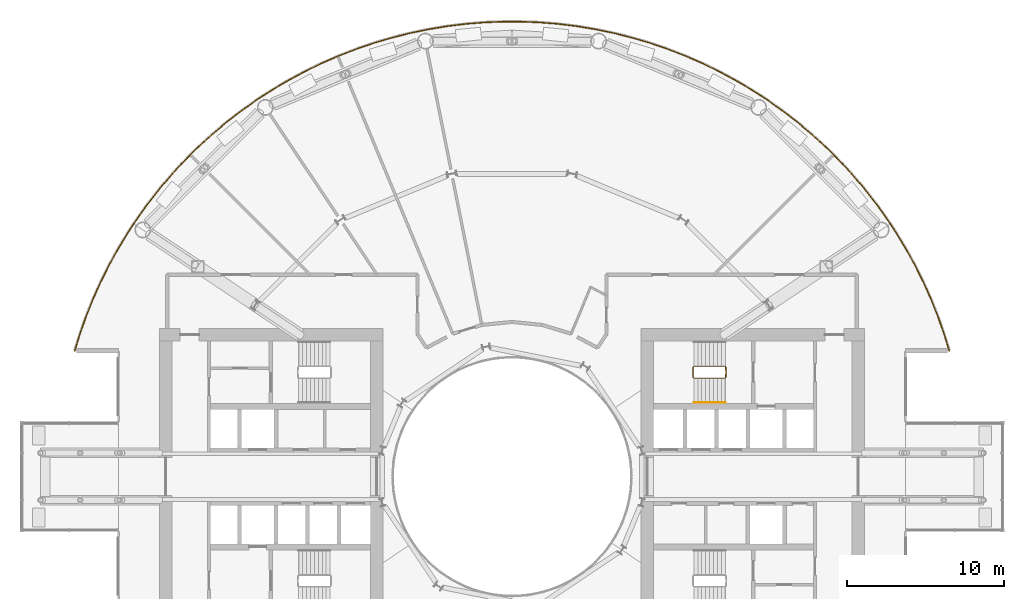
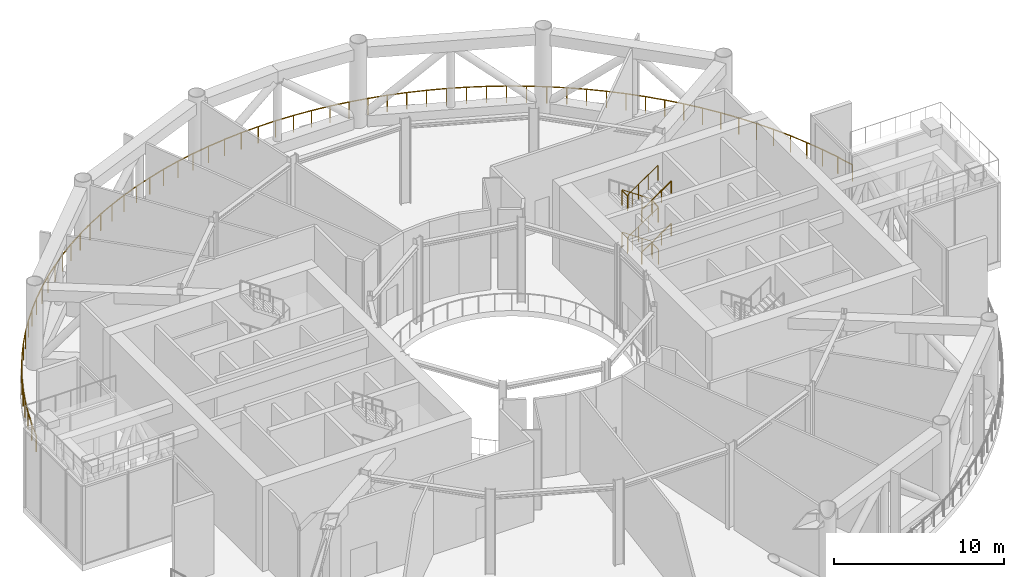
# One storey, part 21 of 22: 4 railings.
"""IFC4 building model written with IfcOpenShell, lengths in metres."""

from ifc_helpers import new_model, si_unit, direction, frame, origin, origin_2d, place, context, subcontext, project, spatial, circle, extrude, material, type_object, element, save


model = new_model("IFC4")

# Units and contexts
model_context = context("Model", 3, precision=1e-05, world=origin(), true_north=direction((0.0, 1.0)))
body_context = subcontext(model_context, "Body", "Model", "MODEL_VIEW")
ifc_project = project(units=[si_unit("LENGTHUNIT", "METRE"), si_unit("AREAUNIT", "SQUARE_METRE"), si_unit("VOLUMEUNIT", "CUBIC_METRE"), si_unit("PLANEANGLEUNIT", "RADIAN"), si_unit("MASSUNIT", "GRAM", prefix="KILO")], contexts=[model_context])

# Site, building, storey
site_placement = place(None, origin())
site = spatial("IfcSite", under=ifc_project, at=site_placement, CompositionType="ELEMENT")
building_placement = place(site_placement, origin())
building = spatial("IfcBuilding", under=site, at=building_placement, Name="Maasbend Ring Residences", CompositionType="ELEMENT")
storey_placement = place(building_placement, frame((0.0, 0.0, 57.5)))
storey = spatial("IfcBuildingStorey", under=building, at=storey_placement, Name="L16", CompositionType="ELEMENT", Elevation=57.5)

# Railings
ifc_material_1 = material(Name="Stainless steel 316 and glass", Category="steel")
railing_type_1 = type_object("IfcRailingType", Name="RL-GUARD", PredefinedType="GUARDRAIL", material=ifc_material_1)
railing_1_placement = place(storey_placement, frame((27.778564453125, 7.972412109375, 0.0)))
element("IfcRailing", 1, at=railing_1_placement, inside=storey, type_object=railing_type_1, Name="Garden guard outer 1", PredefinedType="GUARDRAIL", context=body_context, shape_type="SweptSolid", body=[
    extrude(circle(Radius=0.02490234375, at=origin_2d()), frame((0.0, 0.0, 1.1748046875), z_axis=(-0.295504624123, 0.95534130923, 0.0), x_axis=(-0.95534130923, -0.295504624123, 0.0)), (0.0, 0.0, 1.0), 1.184814453125),
    extrude(circle(Radius=0.02490234375, at=origin_2d()), frame((-0.35009765625, 1.1318359375, 1.1748046875), z_axis=(-0.334285842511, 0.94247173724, 0.0), x_axis=(-0.94247173724, -0.334285842511, 0.0)), (0.0, 0.0, 1.0), 1.1845703125),
    extrude(circle(Radius=0.02490234375, at=origin_2d()), frame((-0.74609375, 2.248291015625, 1.1748046875), z_axis=(-0.372847180885, 0.927892763042, 0.0), x_axis=(-0.927892763042, -0.372847180885, 0.0)), (0.0, 0.0, 1.0), 1.1845703125),
    extrude(circle(Radius=0.02490234375, at=origin_2d()), frame((-1.187744140625, 3.347412109375, 1.1748046875), z_axis=(-0.410493199792, 0.911863659175, 0.0), x_axis=(-0.911863659175, -0.410493199792, 0.0)), (0.0, 0.0, 1.0), 1.184814453125),
    extrude(circle(Radius=0.02490234375, at=origin_2d()), frame((-1.674072265625, 4.427734375, 1.1748046875), z_axis=(-0.447460908245, 0.894303491882, 0.0), x_axis=(-0.894303491882, -0.447460908245, 0.0)), (0.0, 0.0, 1.0), 1.1845703125),
    extrude(circle(Radius=0.02490234375, at=origin_2d()), frame((-2.2041015625, 5.487060546875, 1.1748046875), z_axis=(-0.483839805506, 0.875156581766, 0.0), x_axis=(-0.875156581766, -0.483839805506, 0.0)), (0.0, 0.0, 1.0), 1.184814453125),
    extrude(circle(Radius=0.02490234375, at=origin_2d()), frame((-2.77734375, 6.52392578125, 1.1748046875), z_axis=(-0.51915559987, 0.854679743017, 0.0), x_axis=(-0.854679743017, -0.51915559987, 0.0)), (0.0, 0.0, 1.0), 1.1845703125),
    extrude(circle(Radius=0.02490234375, at=origin_2d()), frame((-3.392333984375, 7.536376953125, 1.1748046875), z_axis=(-0.553796190877, 0.832652255729, 0.0), x_axis=(-0.832652255729, -0.553796190877, 0.0)), (0.0, 0.0, 1.0), 1.1845703125),
    extrude(circle(Radius=0.02490234375, at=origin_2d()), frame((-4.04833984375, 8.522705078125, 1.1748046875), z_axis=(-0.58749759803, 0.809225909317, 0.0), x_axis=(-0.809225909317, -0.58749759803, 0.0)), (0.0, 0.0, 1.0), 1.184814453125),
    extrude(circle(Radius=0.02490234375, at=origin_2d()), frame((-4.744384765625, 9.4814453125, 1.1748046875), z_axis=(-0.620185444157, 0.78445523445, 0.0), x_axis=(-0.78445523445, -0.620185444157, 0.0)), (0.0, 0.0, 1.0), 1.1845703125),
    extrude(circle(Radius=0.02490234375, at=origin_2d()), frame((-5.47900390625, 10.41064453125, 1.1748046875), z_axis=(-0.65182600946, 0.758368547206, 0.0), x_axis=(-0.758368547206, -0.65182600946, 0.0)), (0.0, 0.0, 1.0), 1.184814453125),
    extrude(circle(Radius=0.02490234375, at=origin_2d()), frame((-6.251220703125, 11.30908203125, 1.1748046875), z_axis=(-0.682156690758, 0.731206023809, 0.0), x_axis=(-0.731206023809, -0.682156690758, 0.0)), (0.0, 0.0, 1.0), 1.1845703125),
    extrude(circle(Radius=0.02490234375, at=origin_2d()), frame((-7.059326171875, 12.17529296875, 1.1748046875), z_axis=(-0.711830937603, 0.702350849841, 0.0), x_axis=(-0.702350849841, -0.711830937603, 0.0)), (0.0, 0.0, 1.0), 1.1845703125),
    extrude(circle(Radius=0.02490234375, at=origin_2d()), frame((-7.902587890625, 13.00732421875, 1.1748046875), z_axis=(-0.739800189204, 0.672826634471, 0.0), x_axis=(-0.672826634471, -0.739800189204, 0.0)), (0.0, 0.0, 1.0), 1.184814453125),
    extrude(circle(Radius=0.02490234375, at=origin_2d()), frame((-8.779052734375, 13.804443359375, 1.1748046875), z_axis=(-0.766885051085, 0.641784479731, 0.0), x_axis=(-0.641784479731, -0.766885051085, 0.0)), (0.0, 0.0, 1.0), 1.1845703125),
    extrude(circle(Radius=0.02490234375, at=origin_2d()), frame((-9.6875, 14.564697265625, 1.1748046875), z_axis=(-0.792493715501, 0.609880079107, 0.0), x_axis=(-0.609880079107, -0.792493715501, 0.0)), (0.0, 0.0, 1.0), 1.1845703125),
    extrude(circle(Radius=0.02490234375, at=origin_2d()), frame((-10.626220703125, 15.287109375, 1.1748046875), z_axis=(-0.816785089041, 0.576942040695, 0.0), x_axis=(-0.576942040695, -0.816785089041, 0.0)), (0.0, 0.0, 1.0), 1.184814453125),
    extrude(circle(Radius=0.02490234375, at=origin_2d()), frame((-11.593994140625, 15.970703125, 1.1748046875), z_axis=(-0.839829939632, 0.542849585519, 0.0), x_axis=(-0.542849585519, -0.839829939632, 0.0)), (0.0, 0.0, 1.0), 1.1845703125),
    extrude(circle(Radius=0.02490234375, at=origin_2d()), frame((-12.5888671875, 16.61376953125, 1.1748046875), z_axis=(-0.861324276781, 0.508055597575, 0.0), x_axis=(-0.508055597575, -0.861324276781, 0.0)), (0.0, 0.0, 1.0), 1.1845703125),
    extrude(circle(Radius=0.02490234375, at=origin_2d()), frame((-13.609130859375, 17.215576171875, 1.1748046875), z_axis=(-0.881415624836, 0.472341503887, 0.0), x_axis=(-0.472341503887, -0.881415624836, 0.0)), (0.0, 0.0, 1.0), 1.1845703125),
    extrude(circle(Radius=0.02490234375, at=origin_2d()), frame((-14.6533203125, 17.775146484375, 1.1748046875), z_axis=(-0.900002799964, 0.435884113104, 0.0), x_axis=(-0.435884113104, -0.900002799964, 0.0)), (0.0, 0.0, 1.0), 1.1845703125),
    extrude(circle(Radius=0.02490234375, at=origin_2d()), frame((-15.719482421875, 18.29150390625, 1.1748046875), z_axis=(-0.917129024526, 0.398590456951, 0.0), x_axis=(-0.398590456951, -0.917129024526, 0.0)), (0.0, 0.0, 1.0), 1.1845703125),
    extrude(circle(Radius=0.02490234375, at=origin_2d()), frame((-16.805908203125, 18.763671875, 1.1748046875), z_axis=(-0.932706782024, 0.360635631582, 0.0), x_axis=(-0.360635631582, -0.932706782024, 0.0)), (0.0, 0.0, 1.0), 1.184814453125),
    extrude(circle(Radius=0.02490234375, at=origin_2d()), frame((-17.910888671875, 19.19091796875, 1.1748046875), z_axis=(-0.946770232419, 0.321910122559, 0.0), x_axis=(-0.321910122559, -0.946770232419, 0.0)), (0.0, 0.0, 1.0), 1.1845703125),
    extrude(circle(Radius=0.02490234375, at=origin_2d()), frame((-19.032470703125, 19.572265625, 1.1748046875), z_axis=(-0.959076230705, 0.283147989039, 0.0), x_axis=(-0.283147989039, -0.959076230705, 0.0)), (0.0, 0.0, 1.0), 1.184814453125),
    extrude(circle(Radius=0.02490234375, at=origin_2d()), frame((-20.168701171875, 19.90771484375, 1.1748046875), z_axis=(-0.969923880017, 0.243408436528, 0.0), x_axis=(-0.243408436528, -0.969923880017, 0.0)), (0.0, 0.0, 1.0), 1.1845703125),
    extrude(circle(Radius=0.02490234375, at=origin_2d()), frame((-21.317626953125, 20.196044921875, 1.1748046875), z_axis=(-0.979054075839, 0.203600384536, 0.0), x_axis=(-0.203600384536, -0.979054075839, 0.0)), (0.0, 0.0, 1.0), 1.184814453125),
    extrude(circle(Radius=0.02490234375, at=origin_2d()), frame((-22.4775390625, 20.437255859375, 1.1748046875), z_axis=(-0.986588187234, 0.163229129787, 0.0), x_axis=(-0.163229129787, -0.986588187234, 0.0)), (0.0, 0.0, 1.0), 1.1845703125),
    extrude(circle(Radius=0.02490234375, at=origin_2d()), frame((-23.646240234375, 20.630615234375, 1.1748046875), z_axis=(-0.992454401235, 0.122614279222, 0.0), x_axis=(-0.122614279222, -0.992454401235, 0.0)), (0.0, 0.0, 1.0), 1.184814453125),
    extrude(circle(Radius=0.02490234375, at=origin_2d()), frame((-24.822021484375, 20.77587890625, 1.1748046875), z_axis=(-0.996630509683, 0.082022113907, 0.0), x_axis=(-0.082022113907, -0.996630509683, 0.0)), (0.0, 0.0, 1.0), 1.1845703125),
    extrude(circle(Radius=0.02490234375, at=origin_2d()), frame((-26.002685546875, 20.873046875, 1.1748046875), z_axis=(-0.999158599932, 0.041013317118, 0.0), x_axis=(-0.041013317118, -0.999158599932, 0.0)), (0.0, 0.0, 1.0), 1.1845703125),
    extrude(circle(Radius=0.02490234375, at=origin_2d()), frame((-27.186279296875, 20.921630859375, 1.1748046875), z_axis=(-1.0, 0.0, 0.0), x_axis=(0.0, -1.0, 0.0)), (0.0, 0.0, 1.0), 1.1845703125),
    extrude(circle(Radius=0.02490234375, at=origin_2d()), frame((-28.370849609375, 20.921630859375, 1.1748046875), z_axis=(-0.999158599932, -0.041013317118, 0.0), x_axis=(0.041013317118, -0.999158599932, 0.0)), (0.0, 0.0, 1.0), 1.1845703125),
    extrude(circle(Radius=0.02490234375, at=origin_2d()), frame((-29.554443359375, 20.873046875, 1.1748046875), z_axis=(-0.996630509683, -0.082022113907, 0.0), x_axis=(0.082022113907, -0.996630509683, 0.0)), (0.0, 0.0, 1.0), 1.1845703125),
    extrude(circle(Radius=0.02490234375, at=origin_2d()), frame((-30.735107421875, 20.77587890625, 1.1748046875), z_axis=(-0.992454401235, -0.122614279222, 0.0), x_axis=(0.122614279222, -0.992454401235, 0.0)), (0.0, 0.0, 1.0), 1.184814453125),
    extrude(circle(Radius=0.02490234375, at=origin_2d()), frame((-31.910888671875, 20.630615234375, 1.1748046875), z_axis=(-0.986588187234, -0.163229129787, 0.0), x_axis=(0.163229129787, -0.986588187234, 0.0)), (0.0, 0.0, 1.0), 1.1845703125),
    extrude(circle(Radius=0.02490234375, at=origin_2d()), frame((-33.07958984375, 20.437255859375, 1.1748046875), z_axis=(-0.979054075839, -0.203600384536, 0.0), x_axis=(0.203600384536, -0.979054075839, 0.0)), (0.0, 0.0, 1.0), 1.184814453125),
    extrude(circle(Radius=0.02490234375, at=origin_2d()), frame((-34.239501953125, 20.196044921875, 1.1748046875), z_axis=(-0.969923880017, -0.243408436528, 0.0), x_axis=(0.243408436528, -0.969923880017, 0.0)), (0.0, 0.0, 1.0), 1.1845703125),
    extrude(circle(Radius=0.02490234375, at=origin_2d()), frame((-35.388427734375, 19.90771484375, 1.1748046875), z_axis=(-0.959076230705, -0.283147989039, 0.0), x_axis=(0.283147989039, -0.959076230705, 0.0)), (0.0, 0.0, 1.0), 1.184814453125),
    extrude(circle(Radius=0.02490234375, at=origin_2d()), frame((-36.524658203125, 19.572265625, 1.1748046875), z_axis=(-0.946770232419, -0.321910122559, 0.0), x_axis=(0.321910122559, -0.946770232419, 0.0)), (0.0, 0.0, 1.0), 1.1845703125),
    extrude(circle(Radius=0.02490234375, at=origin_2d()), frame((-37.646240234375, 19.19091796875, 1.1748046875), z_axis=(-0.932706782024, -0.360635631582, 0.0), x_axis=(0.360635631582, -0.932706782024, 0.0)), (0.0, 0.0, 1.0), 1.184814453125),
    extrude(circle(Radius=0.02490234375, at=origin_2d()), frame((-38.751220703125, 18.763671875, 1.1748046875), z_axis=(-0.917129024526, -0.398590456951, 0.0), x_axis=(0.398590456951, -0.917129024526, 0.0)), (0.0, 0.0, 1.0), 1.1845703125),
    extrude(circle(Radius=0.02490234375, at=origin_2d()), frame((-39.837646484375, 18.29150390625, 1.1748046875), z_axis=(-0.900002799964, -0.435884113104, 0.0), x_axis=(0.435884113104, -0.900002799964, 0.0)), (0.0, 0.0, 1.0), 1.1845703125),
    extrude(circle(Radius=0.02490234375, at=origin_2d()), frame((-40.90380859375, 17.775146484375, 1.1748046875), z_axis=(-0.881415624836, -0.472341503887, 0.0), x_axis=(0.472341503887, -0.881415624836, 0.0)), (0.0, 0.0, 1.0), 1.1845703125),
    extrude(circle(Radius=0.02490234375, at=origin_2d()), frame((-41.947998046875, 17.215576171875, 1.1748046875), z_axis=(-0.861324276781, -0.508055597575, 0.0), x_axis=(0.508055597575, -0.861324276781, 0.0)), (0.0, 0.0, 1.0), 1.1845703125),
    extrude(circle(Radius=0.02490234375, at=origin_2d()), frame((-42.96826171875, 16.61376953125, 1.1748046875), z_axis=(-0.839829939632, -0.542849585519, 0.0), x_axis=(0.542849585519, -0.839829939632, 0.0)), (0.0, 0.0, 1.0), 1.1845703125),
    extrude(circle(Radius=0.02490234375, at=origin_2d()), frame((-43.963134765625, 15.970703125, 1.1748046875), z_axis=(-0.816785089041, -0.576942040695, 0.0), x_axis=(0.576942040695, -0.816785089041, 0.0)), (0.0, 0.0, 1.0), 1.184814453125),
    extrude(circle(Radius=0.02490234375, at=origin_2d()), frame((-44.930908203125, 15.287109375, 1.1748046875), z_axis=(-0.792493715501, -0.609880079107, 0.0), x_axis=(0.609880079107, -0.792493715501, 0.0)), (0.0, 0.0, 1.0), 1.1845703125),
    extrude(circle(Radius=0.02490234375, at=origin_2d()), frame((-45.86962890625, 14.564697265625, 1.1748046875), z_axis=(-0.766885051085, -0.641784479731, 0.0), x_axis=(0.641784479731, -0.766885051085, 0.0)), (0.0, 0.0, 1.0), 1.1845703125),
    extrude(circle(Radius=0.02490234375, at=origin_2d()), frame((-46.778076171875, 13.804443359375, 1.1748046875), z_axis=(-0.739800189204, -0.672826634471, 0.0), x_axis=(0.672826634471, -0.739800189204, 0.0)), (0.0, 0.0, 1.0), 1.184814453125),
    extrude(circle(Radius=0.02490234375, at=origin_2d()), frame((-47.654541015625, 13.00732421875, 1.1748046875), z_axis=(-0.711830937603, -0.702350849841, 0.0), x_axis=(0.702350849841, -0.711830937603, 0.0)), (0.0, 0.0, 1.0), 1.1845703125),
    extrude(circle(Radius=0.02490234375, at=origin_2d()), frame((-48.497802734375, 12.17529296875, 1.1748046875), z_axis=(-0.682156690758, -0.731206023809, 0.0), x_axis=(0.731206023809, -0.682156690758, 0.0)), (0.0, 0.0, 1.0), 1.1845703125),
    extrude(circle(Radius=0.02490234375, at=origin_2d()), frame((-49.305908203125, 11.30908203125, 1.1748046875), z_axis=(-0.65182600946, -0.758368547206, 0.0), x_axis=(0.758368547206, -0.65182600946, 0.0)), (0.0, 0.0, 1.0), 1.184814453125),
    extrude(circle(Radius=0.02490234375, at=origin_2d()), frame((-50.078125, 10.41064453125, 1.1748046875), z_axis=(-0.620185444157, -0.78445523445, 0.0), x_axis=(0.78445523445, -0.620185444157, 0.0)), (0.0, 0.0, 1.0), 1.1845703125),
    extrude(circle(Radius=0.02490234375, at=origin_2d()), frame((-50.812744140625, 9.4814453125, 1.1748046875), z_axis=(-0.58749759803, -0.809225909317, 0.0), x_axis=(0.809225909317, -0.58749759803, 0.0)), (0.0, 0.0, 1.0), 1.184814453125),
    extrude(circle(Radius=0.02490234375, at=origin_2d()), frame((-51.5087890625, 8.522705078125, 1.1748046875), z_axis=(-0.553796190877, -0.832652255729, 0.0), x_axis=(0.832652255729, -0.553796190877, 0.0)), (0.0, 0.0, 1.0), 1.1845703125),
    extrude(circle(Radius=0.02490234375, at=origin_2d()), frame((-52.164794921875, 7.536376953125, 1.1748046875), z_axis=(-0.51915559987, -0.854679743017, 0.0), x_axis=(0.854679743017, -0.51915559987, 0.0)), (0.0, 0.0, 1.0), 1.1845703125),
    extrude(circle(Radius=0.02490234375, at=origin_2d()), frame((-52.77978515625, 6.52392578125, 1.1748046875), z_axis=(-0.483839805506, -0.875156581766, 0.0), x_axis=(0.875156581766, -0.483839805506, 0.0)), (0.0, 0.0, 1.0), 1.184814453125),
    extrude(circle(Radius=0.02490234375, at=origin_2d()), frame((-53.35302734375, 5.487060546875, 1.1748046875), z_axis=(-0.447460908245, -0.894303491882, 0.0), x_axis=(0.894303491882, -0.447460908245, 0.0)), (0.0, 0.0, 1.0), 1.1845703125),
    extrude(circle(Radius=0.02490234375, at=origin_2d()), frame((-53.883056640625, 4.427734375, 1.1748046875), z_axis=(-0.410493199792, -0.911863659175, 0.0), x_axis=(0.911863659175, -0.410493199792, 0.0)), (0.0, 0.0, 1.0), 1.184814453125),
    extrude(circle(Radius=0.02490234375, at=origin_2d()), frame((-54.369384765625, 3.347412109375, 1.1748046875), z_axis=(-0.372847180885, -0.927892763042, 0.0), x_axis=(0.927892763042, -0.372847180885, 0.0)), (0.0, 0.0, 1.0), 1.1845703125),
    extrude(circle(Radius=0.02490234375, at=origin_2d()), frame((-54.81103515625, 2.248291015625, 1.1748046875), z_axis=(-0.334285842511, -0.94247173724, 0.0), x_axis=(0.94247173724, -0.334285842511, 0.0)), (0.0, 0.0, 1.0), 1.1845703125),
    extrude(circle(Radius=0.02490234375, at=origin_2d()), frame((-55.20703125, 1.1318359375, 1.1748046875), z_axis=(-0.295504624123, -0.95534130923, 0.0), x_axis=(0.95534130923, -0.295504624123, 0.0)), (0.0, 0.0, 1.0), 1.184814453125),
    extrude(circle(Radius=0.02001953125, at=origin_2d()), origin(), (0.0, 0.0, 1.0), 1.14990234375),
    extrude(circle(Radius=0.02001953125, at=origin_2d()), frame((-0.35009765625, 1.1318359375, 0.0)), (0.0, 0.0, 1.0), 1.14990234375),
    extrude(circle(Radius=0.02001953125, at=origin_2d()), frame((-0.74609375, 2.248291015625, 0.0)), (0.0, 0.0, 1.0), 1.14990234375),
    extrude(circle(Radius=0.02001953125, at=origin_2d()), frame((-1.187744140625, 3.347412109375, 0.0)), (0.0, 0.0, 1.0), 1.14990234375),
    extrude(circle(Radius=0.02001953125, at=origin_2d()), frame((-1.674072265625, 4.427734375, 0.0)), (0.0, 0.0, 1.0), 1.14990234375),
    extrude(circle(Radius=0.02001953125, at=origin_2d()), frame((-2.2041015625, 5.487060546875, 0.0)), (0.0, 0.0, 1.0), 1.14990234375),
    extrude(circle(Radius=0.02001953125, at=origin_2d()), frame((-2.77734375, 6.52392578125, 0.0)), (0.0, 0.0, 1.0), 1.14990234375),
    extrude(circle(Radius=0.02001953125, at=origin_2d()), frame((-3.392333984375, 7.536376953125, 0.0)), (0.0, 0.0, 1.0), 1.14990234375),
    extrude(circle(Radius=0.02001953125, at=origin_2d()), frame((-4.04833984375, 8.522705078125, 0.0)), (0.0, 0.0, 1.0), 1.14990234375),
    extrude(circle(Radius=0.02001953125, at=origin_2d()), frame((-4.744384765625, 9.4814453125, 0.0)), (0.0, 0.0, 1.0), 1.14990234375),
    extrude(circle(Radius=0.02001953125, at=origin_2d()), frame((-5.47900390625, 10.41064453125, 0.0)), (0.0, 0.0, 1.0), 1.14990234375),
    extrude(circle(Radius=0.02001953125, at=origin_2d()), frame((-6.251220703125, 11.30908203125, 0.0)), (0.0, 0.0, 1.0), 1.14990234375),
    extrude(circle(Radius=0.02001953125, at=origin_2d()), frame((-7.059326171875, 12.17529296875, 0.0)), (0.0, 0.0, 1.0), 1.14990234375),
    extrude(circle(Radius=0.02001953125, at=origin_2d()), frame((-7.902587890625, 13.00732421875, 0.0)), (0.0, 0.0, 1.0), 1.14990234375),
    extrude(circle(Radius=0.02001953125, at=origin_2d()), frame((-8.779052734375, 13.804443359375, 0.0)), (0.0, 0.0, 1.0), 1.14990234375),
    extrude(circle(Radius=0.02001953125, at=origin_2d()), frame((-9.6875, 14.564697265625, 0.0)), (0.0, 0.0, 1.0), 1.14990234375),
    extrude(circle(Radius=0.02001953125, at=origin_2d()), frame((-10.626220703125, 15.287109375, 0.0)), (0.0, 0.0, 1.0), 1.14990234375),
    extrude(circle(Radius=0.02001953125, at=origin_2d()), frame((-11.593994140625, 15.970703125, 0.0)), (0.0, 0.0, 1.0), 1.14990234375),
    extrude(circle(Radius=0.02001953125, at=origin_2d()), frame((-12.5888671875, 16.61376953125, 0.0)), (0.0, 0.0, 1.0), 1.14990234375),
    extrude(circle(Radius=0.02001953125, at=origin_2d()), frame((-13.609130859375, 17.215576171875, 0.0)), (0.0, 0.0, 1.0), 1.14990234375),
    extrude(circle(Radius=0.02001953125, at=origin_2d()), frame((-14.6533203125, 17.775146484375, 0.0)), (0.0, 0.0, 1.0), 1.14990234375),
    extrude(circle(Radius=0.02001953125, at=origin_2d()), frame((-15.719482421875, 18.29150390625, 0.0)), (0.0, 0.0, 1.0), 1.14990234375),
    extrude(circle(Radius=0.02001953125, at=origin_2d()), frame((-16.805908203125, 18.763671875, 0.0)), (0.0, 0.0, 1.0), 1.14990234375),
    extrude(circle(Radius=0.02001953125, at=origin_2d()), frame((-17.910888671875, 19.19091796875, 0.0)), (0.0, 0.0, 1.0), 1.14990234375),
    extrude(circle(Radius=0.02001953125, at=origin_2d()), frame((-19.032470703125, 19.572265625, 0.0)), (0.0, 0.0, 1.0), 1.14990234375),
    extrude(circle(Radius=0.02001953125, at=origin_2d()), frame((-20.168701171875, 19.90771484375, 0.0)), (0.0, 0.0, 1.0), 1.14990234375),
    extrude(circle(Radius=0.02001953125, at=origin_2d()), frame((-21.317626953125, 20.196044921875, 0.0)), (0.0, 0.0, 1.0), 1.14990234375),
    extrude(circle(Radius=0.02001953125, at=origin_2d()), frame((-22.4775390625, 20.437255859375, 0.0)), (0.0, 0.0, 1.0), 1.14990234375),
    extrude(circle(Radius=0.02001953125, at=origin_2d()), frame((-23.646240234375, 20.630615234375, 0.0)), (0.0, 0.0, 1.0), 1.14990234375),
    extrude(circle(Radius=0.02001953125, at=origin_2d()), frame((-24.822021484375, 20.77587890625, 0.0)), (0.0, 0.0, 1.0), 1.14990234375),
    extrude(circle(Radius=0.02001953125, at=origin_2d()), frame((-26.002685546875, 20.873046875, 0.0)), (0.0, 0.0, 1.0), 1.14990234375),
    extrude(circle(Radius=0.02001953125, at=origin_2d()), frame((-27.186279296875, 20.921630859375, 0.0)), (0.0, 0.0, 1.0), 1.14990234375),
    extrude(circle(Radius=0.02001953125, at=origin_2d()), frame((-28.370849609375, 20.921630859375, 0.0)), (0.0, 0.0, 1.0), 1.14990234375),
    extrude(circle(Radius=0.02001953125, at=origin_2d()), frame((-29.554443359375, 20.873046875, 0.0)), (0.0, 0.0, 1.0), 1.14990234375),
    extrude(circle(Radius=0.02001953125, at=origin_2d()), frame((-30.735107421875, 20.77587890625, 0.0)), (0.0, 0.0, 1.0), 1.14990234375),
    extrude(circle(Radius=0.02001953125, at=origin_2d()), frame((-31.910888671875, 20.630615234375, 0.0)), (0.0, 0.0, 1.0), 1.14990234375),
    extrude(circle(Radius=0.02001953125, at=origin_2d()), frame((-33.07958984375, 20.437255859375, 0.0)), (0.0, 0.0, 1.0), 1.14990234375),
    extrude(circle(Radius=0.02001953125, at=origin_2d()), frame((-34.239501953125, 20.196044921875, 0.0)), (0.0, 0.0, 1.0), 1.14990234375),
    extrude(circle(Radius=0.02001953125, at=origin_2d()), frame((-35.388427734375, 19.90771484375, 0.0)), (0.0, 0.0, 1.0), 1.14990234375),
    extrude(circle(Radius=0.02001953125, at=origin_2d()), frame((-36.524658203125, 19.572265625, 0.0)), (0.0, 0.0, 1.0), 1.14990234375),
    extrude(circle(Radius=0.02001953125, at=origin_2d()), frame((-37.646240234375, 19.19091796875, 0.0)), (0.0, 0.0, 1.0), 1.14990234375),
    extrude(circle(Radius=0.02001953125, at=origin_2d()), frame((-38.751220703125, 18.763671875, 0.0)), (0.0, 0.0, 1.0), 1.14990234375),
    extrude(circle(Radius=0.02001953125, at=origin_2d()), frame((-39.837646484375, 18.29150390625, 0.0)), (0.0, 0.0, 1.0), 1.14990234375),
    extrude(circle(Radius=0.02001953125, at=origin_2d()), frame((-40.90380859375, 17.775146484375, 0.0)), (0.0, 0.0, 1.0), 1.14990234375),
    extrude(circle(Radius=0.02001953125, at=origin_2d()), frame((-41.947998046875, 17.215576171875, 0.0)), (0.0, 0.0, 1.0), 1.14990234375),
    extrude(circle(Radius=0.02001953125, at=origin_2d()), frame((-42.96826171875, 16.61376953125, 0.0)), (0.0, 0.0, 1.0), 1.14990234375),
    extrude(circle(Radius=0.02001953125, at=origin_2d()), frame((-43.963134765625, 15.970703125, 0.0)), (0.0, 0.0, 1.0), 1.14990234375),
    extrude(circle(Radius=0.02001953125, at=origin_2d()), frame((-44.930908203125, 15.287109375, 0.0)), (0.0, 0.0, 1.0), 1.14990234375),
    extrude(circle(Radius=0.02001953125, at=origin_2d()), frame((-45.86962890625, 14.564697265625, 0.0)), (0.0, 0.0, 1.0), 1.14990234375),
    extrude(circle(Radius=0.02001953125, at=origin_2d()), frame((-46.778076171875, 13.804443359375, 0.0)), (0.0, 0.0, 1.0), 1.14990234375),
    extrude(circle(Radius=0.02001953125, at=origin_2d()), frame((-47.654541015625, 13.00732421875, 0.0)), (0.0, 0.0, 1.0), 1.14990234375),
    extrude(circle(Radius=0.02001953125, at=origin_2d()), frame((-48.497802734375, 12.17529296875, 0.0)), (0.0, 0.0, 1.0), 1.14990234375),
    extrude(circle(Radius=0.02001953125, at=origin_2d()), frame((-49.305908203125, 11.30908203125, 0.0)), (0.0, 0.0, 1.0), 1.14990234375),
    extrude(circle(Radius=0.02001953125, at=origin_2d()), frame((-50.078125, 10.41064453125, 0.0)), (0.0, 0.0, 1.0), 1.14990234375),
    extrude(circle(Radius=0.02001953125, at=origin_2d()), frame((-50.812744140625, 9.4814453125, 0.0)), (0.0, 0.0, 1.0), 1.14990234375),
    extrude(circle(Radius=0.02001953125, at=origin_2d()), frame((-51.5087890625, 8.522705078125, 0.0)), (0.0, 0.0, 1.0), 1.14990234375),
    extrude(circle(Radius=0.02001953125, at=origin_2d()), frame((-52.164794921875, 7.536376953125, 0.0)), (0.0, 0.0, 1.0), 1.14990234375),
    extrude(circle(Radius=0.02001953125, at=origin_2d()), frame((-52.77978515625, 6.52392578125, 0.0)), (0.0, 0.0, 1.0), 1.14990234375),
    extrude(circle(Radius=0.02001953125, at=origin_2d()), frame((-53.35302734375, 5.487060546875, 0.0)), (0.0, 0.0, 1.0), 1.14990234375),
    extrude(circle(Radius=0.02001953125, at=origin_2d()), frame((-53.883056640625, 4.427734375, 0.0)), (0.0, 0.0, 1.0), 1.14990234375),
    extrude(circle(Radius=0.02001953125, at=origin_2d()), frame((-54.369384765625, 3.347412109375, 0.0)), (0.0, 0.0, 1.0), 1.14990234375),
    extrude(circle(Radius=0.02001953125, at=origin_2d()), frame((-54.81103515625, 2.248291015625, 0.0)), (0.0, 0.0, 1.0), 1.14990234375),
    extrude(circle(Radius=0.02001953125, at=origin_2d()), frame((-55.20703125, 1.1318359375, 0.0)), (0.0, 0.0, 1.0), 1.14990234375),
    extrude(circle(Radius=0.02001953125, at=origin_2d()), frame((-55.55712890625, 0.0, 0.0)), (0.0, 0.0, 1.0), 1.14990234375),
])
ifc_material_2 = material(Name="Stainless steel 316", Category="steel")
railing_type_2 = type_object("IfcRailingType", Name="STAIR GUARD 1100", PredefinedType="GUARDRAIL", material=ifc_material_2)
railing_2_placement = place(storey_placement, frame((13.60009765625, 6.300048828125, 0.0)))
element("IfcRailing", 2, at=railing_2_placement, inside=storey, type_object=railing_type_2, Name="L16 ST-E1 stair guard 1", PredefinedType="GUARDRAIL", context=body_context, shape_type="SweptSolid", body=[
    extrude(circle(Radius=0.02392578125, at=origin_2d()), frame((0.0, 0.0, 1.076171875), z_axis=(0.0, 1.0, 0.0), x_axis=(-1.0, 0.0, 0.0)), (0.0, 0.0, 1.0), 0.64990234375),
    extrude(circle(Radius=0.02392578125, at=origin_2d()), frame((0.0, 0.64990234375, 1.076171875), z_axis=(-0.272562526181, 0.272562526181, 0.92272386912), x_axis=(-0.707106781187, -0.707106781187, 0.0)), (0.0, 0.0, 1.0), 0.18359375),
    extrude(circle(Radius=0.02392578125, at=origin_2d()), frame((-0.050048828125, 0.699951171875, 1.24560546875), z_axis=(-0.827797584762, 0.0, 0.561026878735), x_axis=(0.0, -1.0, 0.0)), (0.0, 0.0, 1.0), 2.416015625),
    extrude(circle(Radius=0.02392578125, at=origin_2d()), frame((-2.050048828125, 0.699951171875, 2.60107421875), z_axis=(-0.707106781187, -0.707106781187, 0.0), x_axis=(0.707106781187, -0.707106781187, 0.0)), (0.0, 0.0, 1.0), 0.07080078125),
    extrude(circle(Radius=0.02392578125, at=origin_2d()), frame((-2.10009765625, 0.64990234375, 2.60107421875), z_axis=(0.0, -1.0, 0.0), x_axis=(1.0, 0.0, 0.0)), (0.0, 0.0, 1.0), 0.64990234375),
    extrude(circle(Radius=0.02392578125, at=origin_2d()), frame((-2.10009765625, 0.0, 2.60107421875), z_axis=(0.272562526181, -0.272562526181, 0.92272386912), x_axis=(0.707106781187, 0.707106781187, 0.0)), (0.0, 0.0, 1.0), 0.18359375),
    extrude(circle(Radius=0.02392578125, at=origin_2d()), frame((-2.050048828125, -0.050048828125, 2.7705078125), z_axis=(0.827750655447, 0.0, 0.561096116906), x_axis=(0.0, 1.0, 0.0)), (0.0, 0.0, 1.0), 2.416259765625),
    extrude(circle(Radius=0.02392578125, at=origin_2d()), frame((-0.050048828125, -0.050048828125, 4.1259765625), z_axis=(0.071321223157, 0.997453398975, 0.0), x_axis=(-0.997453398975, 0.071321223157, 0.0)), (0.0, 0.0, 1.0), 0.70166015625),
    extrude(circle(Radius=0.02392578125, at=origin_2d()), frame((0.0, 0.64990234375, 4.1259765625), z_axis=(0.0, -1.0, 0.0), x_axis=(1.0, 0.0, 0.0)), (0.0, 0.0, 1.0), 0.64990234375),
    extrude(circle(Radius=0.02392578125, at=origin_2d()), frame((0.0, 0.0, 4.1259765625), z_axis=(-0.069328998915, 0.969591414091, 0.234704025594), x_axis=(-0.997453398975, -0.071321223157, 0.0)), (0.0, 0.0, 1.0), 0.721923828125),
    extrude(circle(Radius=0.02392578125, at=origin_2d()), frame((-0.050048828125, 0.699951171875, 4.29541015625), z_axis=(-0.827797584762, 0.0, 0.561026878735), x_axis=(0.0, -1.0, 0.0)), (0.0, 0.0, 1.0), 2.416015625),
    extrude(circle(Radius=0.02392578125, at=origin_2d()), frame((-2.050048828125, 0.699951171875, 5.65087890625), z_axis=(-0.707106781187, -0.707106781187, 0.0), x_axis=(0.707106781187, -0.707106781187, 0.0)), (0.0, 0.0, 1.0), 0.07080078125),
    extrude(circle(Radius=0.02392578125, at=origin_2d()), frame((-2.10009765625, 0.64990234375, 5.65087890625), z_axis=(0.0, -1.0, 0.0), x_axis=(1.0, 0.0, 0.0)), (0.0, 0.0, 1.0), 0.64990234375),
    extrude(circle(Radius=0.02392578125, at=origin_2d()), frame((-2.10009765625, 0.0, 5.65087890625), z_axis=(0.272562526181, -0.272562526181, 0.92272386912), x_axis=(0.707106781187, 0.707106781187, 0.0)), (0.0, 0.0, 1.0), 0.18359375),
    extrude(circle(Radius=0.02392578125, at=origin_2d()), frame((-2.050048828125, -0.050048828125, 5.8203125), z_axis=(0.827750655447, 0.0, 0.561096116906), x_axis=(0.0, 1.0, 0.0)), (0.0, 0.0, 1.0), 2.416259765625),
    extrude(circle(Radius=0.02099609375, at=origin_2d()), origin(), (0.0, 0.0, 1.0), 1.052001953125),
    extrude(circle(Radius=0.02099609375, at=origin_2d()), frame((0.0, 0.64990234375, 0.0)), (0.0, 0.0, 1.0), 1.052001953125),
    extrude(circle(Radius=0.02099609375, at=origin_2d()), frame((-0.050048828125, 0.699951171875, 0.16943359375)), (0.0, 0.0, 1.0), 1.052001953125),
    extrude(circle(Radius=0.02099609375, at=origin_2d()), frame((-0.716796875, 0.699951171875, 0.621337890625)), (0.0, 0.0, 1.0), 1.052001953125),
    extrude(circle(Radius=0.02099609375, at=origin_2d()), frame((-1.38330078125, 0.699951171875, 1.072998046875)), (0.0, 0.0, 1.0), 1.052001953125),
    extrude(circle(Radius=0.02099609375, at=origin_2d()), frame((-2.050048828125, 0.699951171875, 1.52490234375)), (0.0, 0.0, 1.0), 1.052001953125),
    extrude(circle(Radius=0.02099609375, at=origin_2d()), frame((-2.10009765625, 0.64990234375, 1.52490234375)), (0.0, 0.0, 1.0), 1.052001953125),
    extrude(circle(Radius=0.02099609375, at=origin_2d()), frame((-2.10009765625, 0.0, 1.52490234375)), (0.0, 0.0, 1.0), 1.052001953125),
    extrude(circle(Radius=0.02099609375, at=origin_2d()), frame((-2.050048828125, -0.050048828125, 1.6943359375)), (0.0, 0.0, 1.0), 1.052001953125),
    extrude(circle(Radius=0.02099609375, at=origin_2d()), frame((-1.38330078125, -0.050048828125, 2.146240234375)), (0.0, 0.0, 1.0), 1.052001953125),
    extrude(circle(Radius=0.02099609375, at=origin_2d()), frame((-0.716796875, -0.050048828125, 2.59814453125)), (0.0, 0.0, 1.0), 1.052001953125),
    extrude(circle(Radius=0.02099609375, at=origin_2d()), frame((-0.050048828125, -0.050048828125, 3.050048828125)), (0.0, 0.0, 1.0), 1.052001953125),
    extrude(circle(Radius=0.02099609375, at=origin_2d()), frame((0.0, 0.64990234375, 3.050048828125)), (0.0, 0.0, 1.0), 1.052001953125),
    extrude(circle(Radius=0.02099609375, at=origin_2d()), frame((0.0, 0.0, 3.050048828125)), (0.0, 0.0, 1.0), 1.052001953125),
    extrude(circle(Radius=0.02099609375, at=origin_2d()), frame((-0.050048828125, 0.699951171875, 3.219482421875)), (0.0, 0.0, 1.0), 1.052001953125),
    extrude(circle(Radius=0.02099609375, at=origin_2d()), frame((-0.716796875, 0.699951171875, 3.67138671875)), (0.0, 0.0, 1.0), 1.052001953125),
    extrude(circle(Radius=0.02099609375, at=origin_2d()), frame((-1.38330078125, 0.699951171875, 4.123046875)), (0.0, 0.0, 1.0), 1.052001953125),
    extrude(circle(Radius=0.02099609375, at=origin_2d()), frame((-2.050048828125, 0.699951171875, 4.574951171875)), (0.0, 0.0, 1.0), 1.052001953125),
    extrude(circle(Radius=0.02099609375, at=origin_2d()), frame((-2.10009765625, 0.64990234375, 4.574951171875)), (0.0, 0.0, 1.0), 1.052001953125),
    extrude(circle(Radius=0.02099609375, at=origin_2d()), frame((-2.10009765625, 0.0, 4.574951171875)), (0.0, 0.0, 1.0), 1.052001953125),
    extrude(circle(Radius=0.02099609375, at=origin_2d()), frame((-2.050048828125, -0.050048828125, 4.744384765625)), (0.0, 0.0, 1.0), 1.052001953125),
    extrude(circle(Radius=0.02099609375, at=origin_2d()), frame((-1.38330078125, -0.050048828125, 5.1962890625)), (0.0, 0.0, 1.0), 1.052001953125),
    extrude(circle(Radius=0.02099609375, at=origin_2d()), frame((-0.716796875, -0.050048828125, 5.648193359375)), (0.0, 0.0, 1.0), 1.052001953125),
    extrude(circle(Radius=0.02099609375, at=origin_2d()), frame((-0.050048828125, -0.050048828125, 6.10009765625)), (0.0, 0.0, 1.0), 1.052001953125),
])
ifc_material_3 = material(Name="Stainless steel 316", Category="steel")
railing_type_3 = type_object("IfcRailingType", Name="STAIR HANDRAIL 900", PredefinedType="HANDRAIL", material=ifc_material_3)
for number, where, name in (
    (3, (11.550048828125, 4.699951171875, 1.6943359375), "L16 ST-E1 stair handrail 2"),
    (4, (11.550048828125, 4.699951171875, 4.744384765625), "L16 ST-E1 stair handrail 4"),
):
    element("IfcRailing", number, at=place(storey_placement, frame(where)), inside=storey, type_object=railing_type_3, Name=name, PredefinedType="HANDRAIL", context=body_context, shape_type="SweptSolid", body=[
        extrude(circle(Radius=0.02392578125, at=origin_2d()), frame((0.0, 0.0, 0.8759765625), z_axis=(0.827750655447, 0.0, 0.561096116906), x_axis=(0.0, 1.0, 0.0)), (0.0, 0.0, 1.0), 2.416259765625),
        extrude(circle(Radius=0.02099609375, at=origin_2d()), origin(), (0.0, 0.0, 1.0), 0.851806640625),
        extrude(circle(Radius=0.02099609375, at=origin_2d()), frame((0.666748046875, 0.0, 0.451904296875)), (0.0, 0.0, 1.0), 0.851806640625),
        extrude(circle(Radius=0.02099609375, at=origin_2d()), frame((1.333251953125, 0.0, 0.90380859375)), (0.0, 0.0, 1.0), 0.851806640625),
        extrude(circle(Radius=0.02099609375, at=origin_2d()), frame((2.0, 0.0, 1.355712890625)), (0.0, 0.0, 1.0), 0.851806640625),
    ])

save(model, "model.ifc")
